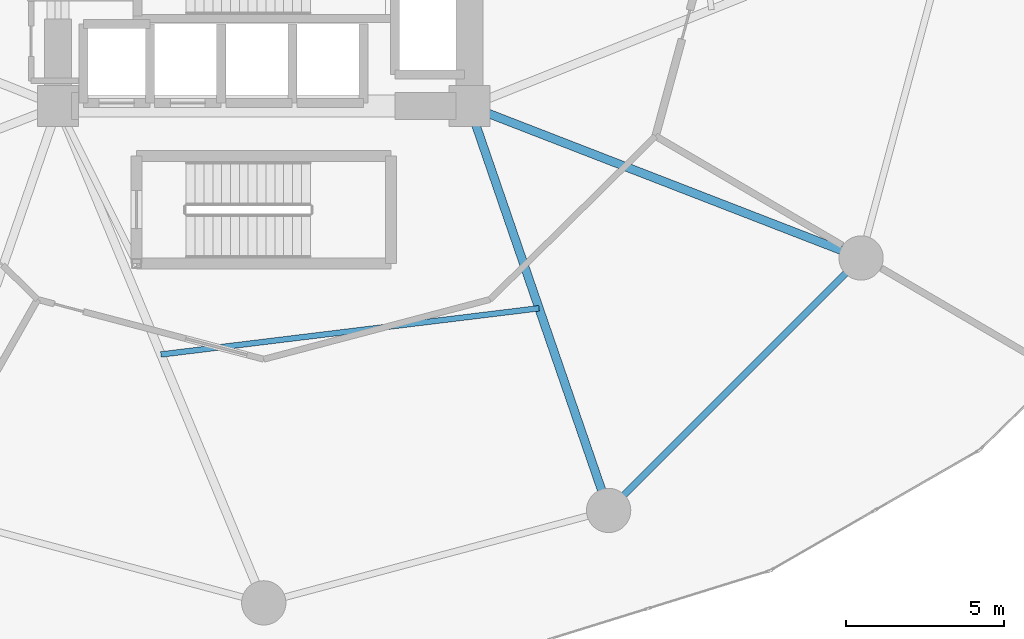
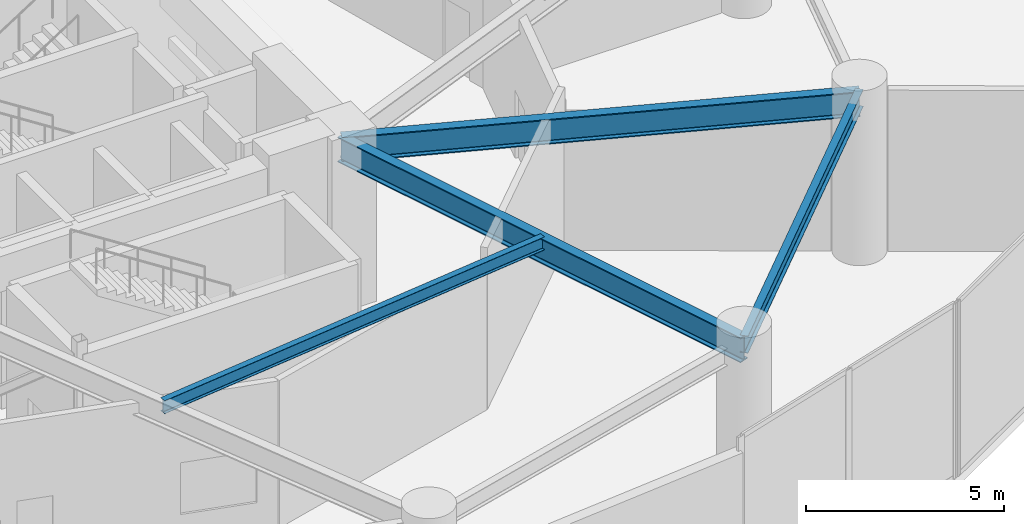
# One storey, part 10 of 29: 4 beams.
"""IFC4 building model written with IfcOpenShell, lengths in metres."""

from ifc_helpers import new_model, si_unit, direction, frame, origin, origin_2d, place, context, subcontext, project, spatial, i_section, extrude, material, material_profile, profile_set, type_object, element, save


model = new_model("IFC4")

# Units and contexts
model_context = context("Model", 3, precision=1e-05, world=origin(), true_north=direction((0.0, 1.0)))
body_context = subcontext(model_context, "Body", "Model", "MODEL_VIEW")
ifc_project = project(units=[si_unit("LENGTHUNIT", "METRE"), si_unit("AREAUNIT", "SQUARE_METRE"), si_unit("VOLUMEUNIT", "CUBIC_METRE"), si_unit("PLANEANGLEUNIT", "RADIAN"), si_unit("MASSUNIT", "GRAM", prefix="KILO")], contexts=[model_context])

# Site, building, storey
site_placement = place(None, origin())
site = spatial("IfcSite", under=ifc_project, at=site_placement, CompositionType="ELEMENT")
building_placement = place(site_placement, origin())
building = spatial("IfcBuilding", under=site, at=building_placement, Name="Solvirekh Grand Hotel", CompositionType="ELEMENT")
storey_placement = place(building_placement, frame((0.0, 0.0, 7.199951171875)))
storey = spatial("IfcBuildingStorey", under=building, at=storey_placement, Name="L01", CompositionType="ELEMENT", Elevation=7.199951171875)

# Beams
ifc_material = material(Name="Steel S355", Category="steel")
ifc_material_profile_1 = material_profile(ifc_material, i_section(OverallWidth=0.27001953125, OverallDepth=0.77294921875, WebThickness=0.01806640625, FlangeThickness=0.031005859375, FilletRadius=0.01806640625, at=origin_2d()), Name="W760X257")
ifc_profile_set_1 = profile_set([ifc_material_profile_1], Name="Steel S355")
beam_type_1 = type_object("IfcBeamType", Name="Beam_Ballroom_W760", PredefinedType="BEAM", material=ifc_profile_set_1)
beam_1_placement = place(storey_placement, frame((6.5, -6.10009765625, 4.593017578125), z_axis=(0.325555300394, -0.94552300151, 0.0), x_axis=(0.94552300151, 0.325555300394, 0.0)))
element("IfcBeam", 1, at=beam_1_placement, inside=storey, type_object=beam_type_1, Name="L01 radial floor beam R11", PredefinedType="BEAM", context=body_context, shape_type="SweptSolid", body=[
    extrude(i_section(OverallWidth=0.27001953125, OverallDepth=0.77294921875, WebThickness=0.01806640625, FlangeThickness=0.031005859375, FilletRadius=0.01806640625, at=origin_2d()), origin(), (0.0, 0.0, 1.0), 13.51513671875),
])
beam_2_placement = place(storey_placement, frame((6.5, -6.10009765625, 4.593017578125), z_axis=(0.932365862704, -0.361516110381, 0.0), x_axis=(0.361516110381, 0.932365862704, 0.0)))
element("IfcBeam", 2, at=beam_2_placement, inside=storey, type_object=beam_type_1, Name="L01 radial floor beam R12", PredefinedType="BEAM", context=body_context, shape_type="SweptSolid", body=[
    extrude(i_section(OverallWidth=0.27001953125, OverallDepth=0.77294921875, WebThickness=0.01806640625, FlangeThickness=0.031005859375, FilletRadius=0.01806640625, at=origin_2d()), origin(), (0.0, 0.0, 1.0), 13.27685546875),
])
ifc_material_profile_2 = material_profile(ifc_material, i_section(OverallWidth=0.177978515625, OverallDepth=0.406982421875, WebThickness=0.008056640625, FlangeThickness=0.011962890625, FilletRadius=0.011962890625, at=origin_2d()), Name="W410X60")
ifc_profile_set_2 = profile_set([ifc_material_profile_2], Name="Steel S355")
beam_type_2 = type_object("IfcBeamType", Name="Joist_Floor_W410", PredefinedType="JOIST", material=ifc_profile_set_2)
beam_3_placement = place(storey_placement, frame((-3.25, -13.949951171875, 4.776123046875), z_axis=(0.992609637169, 0.121351177167, 0.0), x_axis=(-0.121351177167, 0.992609637169, 0.0)))
element("IfcBeam", 3, at=beam_3_placement, inside=storey, type_object=beam_type_2, Name="L01 secondary composite floor joist 10", PredefinedType="JOIST", context=body_context, shape_type="SweptSolid", body=[
    extrude(i_section(OverallWidth=0.177978515625, OverallDepth=0.406982421875, WebThickness=0.008056640625, FlangeThickness=0.011962890625, FilletRadius=0.011962890625, at=origin_2d()), origin(), (0.0, 0.0, 1.0), 12.038818359375),
])
ifc_material_profile_3 = material_profile(ifc_material, i_section(OverallWidth=0.208984375, OverallDepth=0.532958984375, WebThickness=0.010009765625, FlangeThickness=0.014892578125, FilletRadius=0.013916015625, at=origin_2d()), Name="W530X92")
ifc_profile_set_3 = profile_set([ifc_material_profile_3], Name="Steel S355")
beam_type_3 = type_object("IfcBeamType", Name="Spandrel_Ring_W530", PredefinedType="SPANDREL", material=ifc_profile_set_3)
beam_4_placement = place(storey_placement, frame((10.89990234375, -18.87890625, 4.713134765625), z_axis=(0.707106781187, 0.707106781187, 0.0), x_axis=(-0.707106781187, 0.707106781187, 0.0)))
element("IfcBeam", 4, at=beam_4_placement, inside=storey, type_object=beam_type_3, Name="L01 perimeter spandrel beam 11", PredefinedType="SPANDREL", context=body_context, shape_type="SweptSolid", body=[
    extrude(i_section(OverallWidth=0.208984375, OverallDepth=0.532958984375, WebThickness=0.010009765625, FlangeThickness=0.014892578125, FilletRadius=0.013916015625, at=origin_2d()), origin(), (0.0, 0.0, 1.0), 11.283935546875),
])

save(model, "model.ifc")
